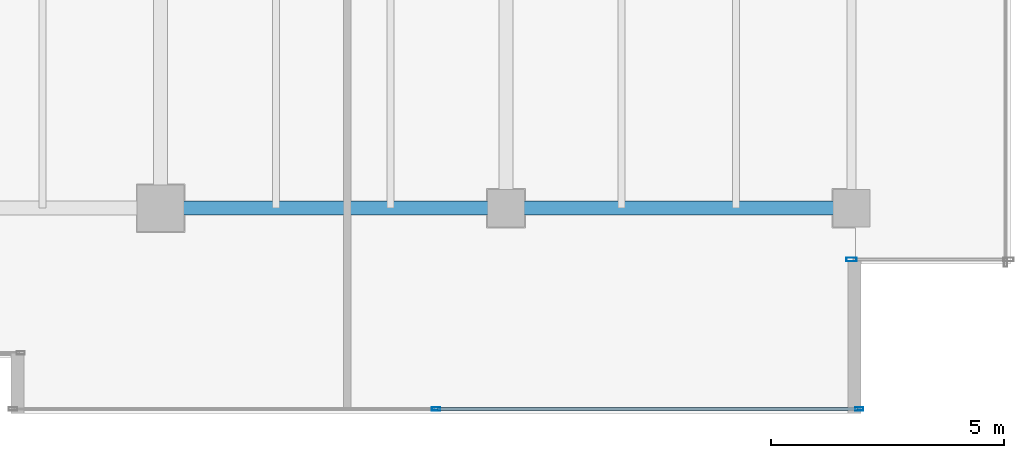
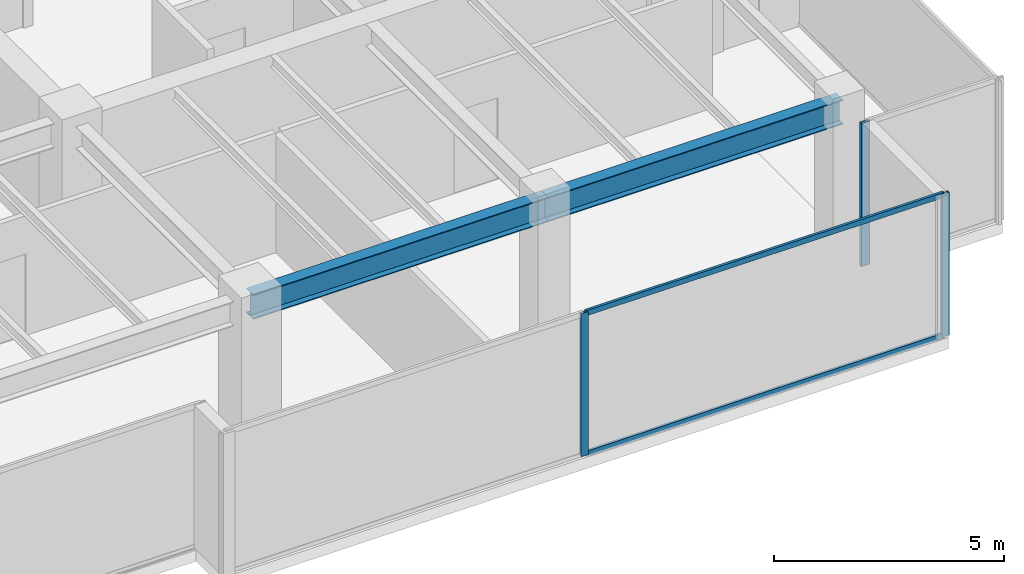
# One storey, part 13 of 35: 5 members, 2 beams, 2 elements without a shape of their own.
"""IFC4 building model written with IfcOpenShell, lengths in metres."""

from ifc_helpers import new_model, si_unit, direction, frame, origin, origin_2d, place, context, subcontext, project, spatial, hollow_rectangle, i_section, extrude, source, transform, mapped, material, layer, layer_set, material_profile, profile_set, type_object, type_shapes, element, aggregate, save


model = new_model("IFC4")

# Units and contexts
model_context = context("Model", 3, precision=1e-05, world=origin(), true_north=direction((0.0, 1.0)))
body_context = subcontext(model_context, "Body", "Model", "MODEL_VIEW")
ifc_project = project(units=[si_unit("LENGTHUNIT", "METRE"), si_unit("AREAUNIT", "SQUARE_METRE"), si_unit("VOLUMEUNIT", "CUBIC_METRE"), si_unit("PLANEANGLEUNIT", "RADIAN"), si_unit("MASSUNIT", "GRAM", prefix="KILO")], contexts=[model_context])

# Site, building, storey
site_placement = place(None, origin())
site = spatial("IfcSite", under=ifc_project, at=site_placement, CompositionType="ELEMENT")
building_placement = place(site_placement, origin())
building = spatial("IfcBuilding", under=site, at=building_placement, Name="Haelvirn Gate Laboratories", CompositionType="ELEMENT")
storey_placement = place(building_placement, frame((0.0, 0.0, 226.0)))
storey = spatial("IfcBuildingStorey", under=building, at=storey_placement, Name="L54", CompositionType="ELEMENT", Elevation=226.0)

# Beams
ifc_material_1 = material(Name="Steel SM355", Category="steel")
ifc_material_profile_1 = material_profile(ifc_material_1, i_section(OverallWidth=0.300048828125, OverallDepth=0.64990234375, WebThickness=0.012939453125, FlangeThickness=0.02197265625, at=origin_2d()), Name="H-650x300x13x22")
ifc_profile_set_1 = profile_set([ifc_material_profile_1], Name="Steel SM355")
beam_type = type_object("IfcBeamType", Name="BM-G-650", PredefinedType="BEAM", material=ifc_profile_set_1)
shared_shape_1 = source(origin(), body_context, "Body", "SweptSolid", [
    extrude(i_section(OverallWidth=0.300048828125, OverallDepth=0.64990234375, WebThickness=0.012939453125, FlangeThickness=0.02197265625, at=origin_2d()), origin(), (0.0, 0.0, 1.0), 7.39990234375),
])
type_shapes(beam_type, [shared_shape_1])
for number, where, z_axis, x_axis, name in (
    (1, (52.60009765625, 7.0, 3.47509765625), (1.0, 0.0, 0.0), (0.0, 1.0, 0.0), "L54 Primary Girder Y7.0 (52.6-60.0)"),
    (2, (60.0, 7.0, 3.47509765625), (1.0, 0.0, 0.0), (0.0, 1.0, 0.0), "L54 Primary Girder Y7.0 (60.0-67.4)"),
):
    element("IfcBeam", number, at=place(storey_placement, frame(where, z_axis=z_axis, x_axis=x_axis)), inside=storey, type_object=beam_type, Name=name, PredefinedType="BEAM", context=body_context, shape_type="MappedRepresentation", body=[
        mapped(shared_shape_1, transform((0.0, 0.0, 0.0), scale=1.0)),
    ])

# Curtain wall, members
ifc_material_2 = material(Name="Anodised bronze unitised aluminium & triple low-E glass", Category="aluminium")
ifc_layer_1 = layer(ifc_material_2, 0.176025390625, Name="CW-SYS-4")
ifc_layer_set_1 = layer_set([ifc_layer_1], Name="Anodised bronze unitised aluminium & triple low-E glass")
curtain_wall_type_1 = type_object("IfcCurtainWallType", Name="CW-SYS-4", PredefinedType="NOTDEFINED", material=ifc_layer_set_1)
curtain_wall_1_placement = place(storey_placement, origin())
curtain_wall_1 = element("IfcCurtainWall", 3, at=curtain_wall_1_placement, inside=storey, type_object=curtain_wall_type_1, Name="L54 Unitised Curtain Wall CW-L54-P0-E04-1", PredefinedType="NOTDEFINED")
ifc_material_3 = material(Name="Extruded aluminium 6063-T6 (anodised bronze)", Category="aluminium")
ifc_material_profile_2 = material_profile(ifc_material_3, hollow_rectangle(XDim=0.06494140625, YDim=0.139892578125, WallThickness=0.00390625, at=origin_2d()), Name="CWT-140x65x4")
ifc_profile_set_2 = profile_set([ifc_material_profile_2], Name="Extruded aluminium 6063-T6 (anodised bronze)")
member_type_1 = type_object("IfcMemberType", Name="CWT-T140", PredefinedType="USERDEFINED", material=ifc_profile_set_2)
shared_shape_2 = source(origin(), body_context, "Body", "SweptSolid", [
    extrude(hollow_rectangle(XDim=0.06494140625, YDim=0.139892578125, WallThickness=0.00390625, at=origin_2d()), origin(), (0.0, 0.0, 1.0), 8.9951171875),
])
type_shapes(member_type_1, [shared_shape_2])
member_1_placement = place(storey_placement, frame((58.534912109375, 2.699951171875, 0.032470703125), z_axis=(1.0, 0.0, 0.0), x_axis=(0.0, 1.0, 0.0)))
member_1 = element("IfcMember", 4, at=member_1_placement, type_object=member_type_1, Name="CW4 transom 2.1", ObjectType="TRANSOM", PredefinedType="USERDEFINED", context=body_context, shape_type="MappedRepresentation", body=[
    mapped(shared_shape_2, transform((0.0, 0.0, 0.0), scale=1.0)),
])
member_2_placement = place(storey_placement, frame((58.534912109375, 2.699951171875, 3.767578125), z_axis=(1.0, 0.0, 0.0), x_axis=(0.0, 1.0, 0.0)))
member_2 = element("IfcMember", 5, at=member_2_placement, type_object=member_type_1, Name="CW4 transom 2.2", ObjectType="TRANSOM", PredefinedType="USERDEFINED", context=body_context, shape_type="MappedRepresentation", body=[
    mapped(shared_shape_2, transform((0.0, 0.0, 0.0), scale=1.0)),
])
ifc_material_profile_3 = material_profile(ifc_material_3, hollow_rectangle(XDim=0.070068359375, YDim=0.179931640625, WallThickness=0.0048828125, at=origin_2d()), Name="CWM-180x70x5")
ifc_profile_set_3 = profile_set([ifc_material_profile_3], Name="Extruded aluminium 6063-T6 (anodised bronze)")
member_type_2 = type_object("IfcMemberType", Name="CWM-T180", PredefinedType="MULLION", material=ifc_profile_set_3)
shared_shape_3 = source(origin(), body_context, "Body", "SweptSolid", [
    extrude(hollow_rectangle(XDim=0.070068359375, YDim=0.179931640625, WallThickness=0.0048828125, at=origin_2d()), origin(), (0.0, 0.0, 1.0), 3.800048828125),
])
type_shapes(member_type_2, [shared_shape_3])
member_3_placement = place(storey_placement, frame((58.5, 2.699951171875, 0.0), z_axis=(0.0, 0.0, 1.0), x_axis=(0.0, 1.0, 0.0)))
member_3 = element("IfcMember", 6, at=member_3_placement, type_object=member_type_2, Name="CW4 mullion 2", PredefinedType="MULLION", context=body_context, shape_type="MappedRepresentation", body=[
    mapped(shared_shape_3, transform((0.0, 0.0, 0.0), scale=1.0)),
])
member_4_placement = place(storey_placement, frame((67.56494140625, 2.699951171875, 0.0), z_axis=(0.0, 0.0, 1.0), x_axis=(0.0, 1.0, 0.0)))
member_4 = element("IfcMember", 7, at=member_4_placement, type_object=member_type_2, Name="CW4 mullion 3", PredefinedType="MULLION", context=body_context, shape_type="MappedRepresentation", body=[
    mapped(shared_shape_3, transform((0.0, 0.0, 0.0), scale=1.0)),
])
aggregate(curtain_wall_1, [member_3, member_4, member_1, member_2])

# Curtain wall, member
ifc_layer_2 = layer(ifc_material_2, 0.181884765625, Name="CW-SYS-5")
ifc_layer_set_2 = layer_set([ifc_layer_2], Name="Anodised bronze unitised aluminium & triple low-E glass")
curtain_wall_type_2 = type_object("IfcCurtainWallType", Name="CW-SYS-5", PredefinedType="NOTDEFINED", material=ifc_layer_set_2)
curtain_wall_2_placement = place(storey_placement, origin())
curtain_wall_2 = element("IfcCurtainWall", 8, at=curtain_wall_2_placement, inside=storey, type_object=curtain_wall_type_2, Name="L54 Unitised Curtain Wall CW-L54-P0-E06-1", PredefinedType="NOTDEFINED")
ifc_material_profile_4 = material_profile(ifc_material_3, hollow_rectangle(XDim=0.080078125, YDim=0.219970703125, WallThickness=0.006103515625, at=origin_2d()), Name="CWM-220x80x6")
ifc_profile_set_4 = profile_set([ifc_material_profile_4], Name="Extruded aluminium 6063-T6 (anodised bronze)")
member_type_3 = type_object("IfcMemberType", Name="CWM-T220", PredefinedType="MULLION", material=ifc_profile_set_4)
shared_shape_4 = source(origin(), body_context, "Body", "SweptSolid", [
    extrude(hollow_rectangle(XDim=0.080078125, YDim=0.219970703125, WallThickness=0.006103515625, at=origin_2d()), origin(), (0.0, 0.0, 1.0), 3.800048828125),
])
type_shapes(member_type_3, [shared_shape_4])
member_5_placement = place(storey_placement, frame((67.39990234375, 5.89990234375, 0.0), z_axis=(0.0, 0.0, 1.0), x_axis=(0.0, 1.0, 0.0)))
member_5 = element("IfcMember", 9, at=member_5_placement, type_object=member_type_3, Name="CW5 mullion 1", PredefinedType="MULLION", context=body_context, shape_type="MappedRepresentation", body=[
    mapped(shared_shape_4, transform((0.0, 0.0, 0.0), scale=1.0)),
])
aggregate(curtain_wall_2, [member_5])

save(model, "model.ifc")
